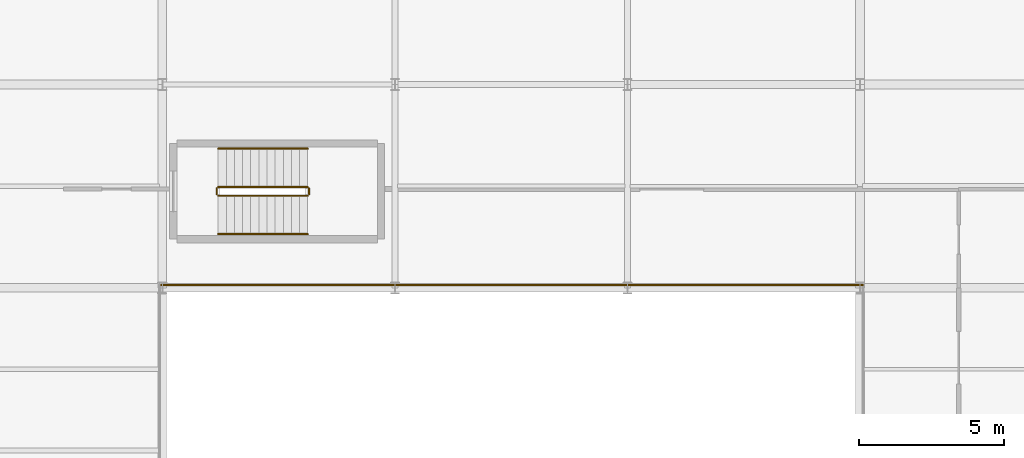
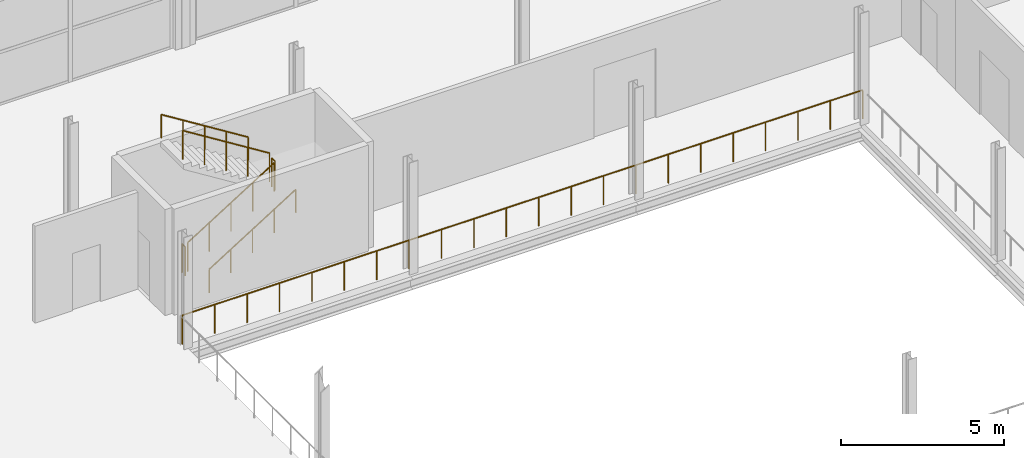
# One storey, part 96 of 101: 7 railings.
"""IFC4 building model written with IfcOpenShell, lengths in metres."""

import ifcopenshell
import ifcopenshell.guid

model = None  # the IFC model being written
_history = None  # IfcOwnerHistory: only IFC2X3 demands one
_inside = {}  # id of a spatial element -> (the spatial element, [elements in it])
_under = {}  # id of a project, library or spatial element -> (it, [spatial elements below it])
_declared = {}  # id of a project -> (the project, [libraries it declares])
_typed = {}  # id of a type object -> (the type object, [elements of that type])
_made_of = {}  # id of a material, layer set ... -> (it, [elements and type objects made of it])


def new_model(schema):
    """Start an empty IFC model of exactly this schema.

    Asked for "IFC4X3", IfcOpenShell would pick the latest addendum, in which some entities
    have other attributes; the version numbers below select the first issue.
    IFC2X3 requires an IfcOwnerHistory on every rooted entity: one is made here for all.
    """
    global model, _history
    if schema == "IFC4X3":
        model = ifcopenshell.file(schema_version=(4, 3, 0, 0))
    else:
        model = ifcopenshell.file(schema=schema)
    _inside.clear()
    _under.clear()
    _declared.clear()
    _typed.clear()
    _made_of.clear()
    _history = None
    if model.schema == "IFC2X3":
        org = make("IfcOrganization", Name="unknown")
        user = make(
            "IfcPersonAndOrganization",
            ThePerson=make("IfcPerson", FamilyName="unknown"),
            TheOrganization=org,
        )
        app = make(
            "IfcApplication",
            ApplicationDeveloper=org,
            Version="unknown",
            ApplicationFullName="unknown",
            ApplicationIdentifier="unknown",
        )
        _history = make(
            "IfcOwnerHistory",
            OwningUser=user,
            OwningApplication=app,
            ChangeAction="ADDED",
            CreationDate=0,
        )
    return model


def make(cls, **values):
    """One entity of the class cls with the attributes given. An attribute that is None is left unset."""
    return model.create_entity(
        cls, **{name: value for name, value in values.items() if value is not None}
    )


def rooted(cls, **values):
    """An entity with a GlobalId (a new one), such as an element, a storey or a relation."""
    return make(cls, GlobalId=ifcopenshell.guid.new(), OwnerHistory=_history, **values)


def si_unit(unit_type, name, prefix=None):
    """IfcSIUnit, for example si_unit("LENGTHUNIT", "METRE", prefix="MILLI")."""
    return make("IfcSIUnit", UnitType=unit_type, Prefix=prefix, Name=name)


def assignment(units):
    """IfcUnitAssignment: the units of a project."""
    return None if units is None else make("IfcUnitAssignment", Units=units)


def point(xyz):
    """IfcCartesianPoint."""
    return None if xyz is None else make("IfcCartesianPoint", Coordinates=xyz)


def direction(xyz):
    """IfcDirection."""
    return None if xyz is None else make("IfcDirection", DirectionRatios=xyz)


def frame(location, z_axis=None, x_axis=None):
    """IfcAxis2Placement3D, a coordinate frame: its origin and axes. An axis left out is left unset."""
    return make(
        "IfcAxis2Placement3D",
        Location=point(location),
        Axis=direction(z_axis),
        RefDirection=direction(x_axis),
    )


def frame_2d(location, x_axis=None):
    """IfcAxis2Placement2D, a coordinate frame in the plane: its origin and x axis."""
    return make(
        "IfcAxis2Placement2D", Location=point(location), RefDirection=direction(x_axis)
    )


def origin():
    """The frame at (0, 0, 0) with its axes left unset."""
    return frame((0.0, 0.0, 0.0))


def origin_2d():
    """The frame at (0, 0) in the plane with its x axis left unset."""
    return frame_2d((0.0, 0.0))


def place(relative_to, where):
    """IfcLocalPlacement: puts the frame where relative to a parent placement (None: the world)."""
    return make(
        "IfcLocalPlacement", PlacementRelTo=relative_to, RelativePlacement=where
    )


def context(
    kind, dimensions, precision=None, world=None, true_north=None, identifier=None
):
    """IfcGeometricRepresentationContext, for example the 3D "Model" context."""
    return make(
        "IfcGeometricRepresentationContext",
        ContextIdentifier=identifier,
        ContextType=kind,
        CoordinateSpaceDimension=dimensions,
        Precision=precision,
        WorldCoordinateSystem=world,
        TrueNorth=true_north,
    )


def subcontext(parent, identifier, kind, view, scale=None):
    """IfcGeometricRepresentationSubContext, for example "Body" below "Model"."""
    return make(
        "IfcGeometricRepresentationSubContext",
        ContextIdentifier=identifier,
        ContextType=kind,
        ParentContext=parent,
        TargetScale=scale,
        TargetView=view,
    )


def project(units=None, contexts=None):
    """IfcProject with its units and contexts."""
    return rooted(
        "IfcProject",
        Name="project",
        RepresentationContexts=contexts,
        UnitsInContext=assignment(units),
    )


def spatial(cls, under=None, at=None, **own):
    """A site, building, storey or space (cls), placed at a placement, below another one or the project."""
    s = rooted(cls, ObjectPlacement=at, **own)
    if under is not None:
        _under.setdefault(under.id(), (under, []))[1].append(s)
    return s


def profile(cls, at=None, kind="AREA", **sizes):
    """A parametric profile (cls). Its sizes go by their IFC names, for example OverallWidth=200.0."""
    return make(cls, ProfileType=kind, Position=at, **sizes)


def circle(**sizes):
    """IfcCircleProfileDef."""
    return profile("IfcCircleProfileDef", **sizes)


def extrude(swept, where, along, depth):
    """IfcExtrudedAreaSolid: the profile swept, set in the frame where, extruded along a direction by depth."""
    return make(
        "IfcExtrudedAreaSolid",
        SweptArea=swept,
        Position=where,
        ExtrudedDirection=direction(along),
        Depth=depth,
    )


def shape(context_of_items, identifier, shape_type, items):
    """IfcShapeRepresentation: the items that make up one representation, for example the "Body"."""
    return make(
        "IfcShapeRepresentation",
        ContextOfItems=context_of_items,
        RepresentationIdentifier=identifier,
        RepresentationType=shape_type,
        Items=items,
    )


def material(Name=None, Category=None):
    """IfcMaterial."""
    return make("IfcMaterial", Name=Name, Category=Category)


def made_of(thing, what):
    """Note that an element or type object is made of a material, layer set ...; save() writes the relation."""
    if what is not None:
        _made_of.setdefault(what.id(), (what, []))[1].append(thing)
    return thing


def type_object(cls, material=None, **own):
    """A type object (cls), such as IfcWallType, which elements share."""
    return made_of(rooted(cls, **own), material)


def element(
    cls,
    number,
    at=None,
    inside=None,
    cuts=None,
    type_object=None,
    material=None,
    context=None,
    identifier="Body",
    shape_type=None,
    held_by="IfcProductDefinitionShape",
    body=None,
    shapes=None,
    **own,
):
    """One element of the class cls, such as IfcWall. Its Tag is "e" and its number.

    at: its placement. inside: the storey or other place that contains it. cuts: it is an
    opening in that element (IfcRelVoidsElement). A single representation is given by context,
    identifier, shape_type and body (its items); several are given by shapes. held_by: the class
    of the entity that holds the representations. save() writes the other relations.
    """
    e = rooted(cls, Tag="e%d" % number, ObjectPlacement=at, **own)
    if body is not None:
        shapes = [shape(context, identifier, shape_type, body)]
    if shapes is not None:
        e.Representation = make(held_by, Representations=shapes)
    if inside is not None:
        _inside.setdefault(inside.id(), (inside, []))[1].append(e)
    if cuts is not None:
        rooted(
            "IfcRelVoidsElement", RelatingBuildingElement=cuts, RelatedOpeningElement=e
        )
    if type_object is not None:
        _typed.setdefault(type_object.id(), (type_object, []))[1].append(e)
    return made_of(e, material)


def aggregate(whole, parts):
    """IfcRelAggregates: a whole, such as a stair, and the parts it consists of."""
    return rooted("IfcRelAggregates", RelatingObject=whole, RelatedObjects=parts)


def save(model, path):
    """Write the relations noted so far, then the file.

    IfcRelAggregates (storeys below a building ...), IfcRelContainedInSpatialStructure (elements
    in a storey), IfcRelDefinesByType, IfcRelAssociatesMaterial and IfcRelDeclares: one each for
    every whole, place, type object, material and project.
    """
    for whole, parts in _under.values():
        aggregate(whole, parts)
    for where, things in _inside.values():
        rooted(
            "IfcRelContainedInSpatialStructure",
            RelatedElements=things,
            RelatingStructure=where,
        )
    for kind, things in _typed.values():
        rooted("IfcRelDefinesByType", RelatedObjects=things, RelatingType=kind)
    for what, things in _made_of.values():
        rooted("IfcRelAssociatesMaterial", RelatedObjects=things, RelatingMaterial=what)
    for by, libraries in _declared.values():
        rooted("IfcRelDeclares", RelatingContext=by, RelatedDefinitions=libraries)
    model.write(path)


model = new_model("IFC4")

# Units and contexts
model_context = context("Model", 3, precision=1e-05, world=origin(), true_north=direction((0.0, 1.0)))
body_context = subcontext(model_context, "Body", "Model", "MODEL_VIEW")
ifc_project = project(units=[si_unit("LENGTHUNIT", "METRE"), si_unit("AREAUNIT", "SQUARE_METRE"), si_unit("VOLUMEUNIT", "CUBIC_METRE"), si_unit("PLANEANGLEUNIT", "RADIAN"), si_unit("MASSUNIT", "GRAM", prefix="KILO")], contexts=[model_context])

# Site, building, storey
site_placement = place(None, origin())
site = spatial("IfcSite", under=ifc_project, at=site_placement, CompositionType="ELEMENT")
building_placement = place(site_placement, origin())
building = spatial("IfcBuilding", under=site, at=building_placement, Name="Vekula Escarpment Museum", CompositionType="ELEMENT")
storey_placement = place(building_placement, frame((0.0, 0.0, 18.0)))
storey = spatial("IfcBuildingStorey", under=building, at=storey_placement, Name="L04", CompositionType="ELEMENT", Elevation=18.0)

# Railings
ifc_material_1 = material(Name="Bronze-coated Steel S355 balustrade", Category="steel")
railing_type_1 = type_object("IfcRailingType", Name="RL-ATR-BAL", PredefinedType="BALUSTRADE", material=ifc_material_1)
railing_1_placement = place(storey_placement, frame((110.10009765625, 76.5, 0.0)))
element("IfcRailing", 1, at=railing_1_placement, inside=storey, type_object=railing_type_1, Name="Central Atrium Balustrade L04 N", PredefinedType="BALUSTRADE", context=body_context, shape_type="SweptSolid", body=[
    extrude(circle(Radius=0.02392578125, at=origin_2d()), frame((0.0, 0.0, 1.076171875), z_axis=(-1.0, 0.0, 0.0), x_axis=(0.0, -1.0, 0.0)), (0.0, 0.0, 1.0), 24.14013671875),
    extrude(circle(Radius=0.02099609375, at=origin_2d()), origin(), (0.0, 0.0, 1.0), 1.052001953125),
    extrude(circle(Radius=0.02099609375, at=origin_2d()), frame((-1.1494140625, 0.0, 0.0)), (0.0, 0.0, 1.0), 1.052001953125),
    extrude(circle(Radius=0.02099609375, at=origin_2d()), frame((-2.299072265625, 0.0, 0.0)), (0.0, 0.0, 1.0), 1.052001953125),
    extrude(circle(Radius=0.02099609375, at=origin_2d()), frame((-3.448486328125, 0.0, 0.0)), (0.0, 0.0, 1.0), 1.052001953125),
    extrude(circle(Radius=0.02099609375, at=origin_2d()), frame((-4.59814453125, 0.0, 0.0)), (0.0, 0.0, 1.0), 1.052001953125),
    extrude(circle(Radius=0.02099609375, at=origin_2d()), frame((-5.74755859375, 0.0, 0.0)), (0.0, 0.0, 1.0), 1.052001953125),
    extrude(circle(Radius=0.02099609375, at=origin_2d()), frame((-6.897216796875, 0.0, 0.0)), (0.0, 0.0, 1.0), 1.052001953125),
    extrude(circle(Radius=0.02099609375, at=origin_2d()), frame((-8.046630859375, 0.0, 0.0)), (0.0, 0.0, 1.0), 1.052001953125),
    extrude(circle(Radius=0.02099609375, at=origin_2d()), frame((-9.1962890625, 0.0, 0.0)), (0.0, 0.0, 1.0), 1.052001953125),
    extrude(circle(Radius=0.02099609375, at=origin_2d()), frame((-10.345703125, 0.0, 0.0)), (0.0, 0.0, 1.0), 1.052001953125),
    extrude(circle(Radius=0.02099609375, at=origin_2d()), frame((-11.495361328125, 0.0, 0.0)), (0.0, 0.0, 1.0), 1.052001953125),
    extrude(circle(Radius=0.02099609375, at=origin_2d()), frame((-12.644775390625, 0.0, 0.0)), (0.0, 0.0, 1.0), 1.052001953125),
    extrude(circle(Radius=0.02099609375, at=origin_2d()), frame((-13.79443359375, 0.0, 0.0)), (0.0, 0.0, 1.0), 1.052001953125),
    extrude(circle(Radius=0.02099609375, at=origin_2d()), frame((-14.94384765625, 0.0, 0.0)), (0.0, 0.0, 1.0), 1.052001953125),
    extrude(circle(Radius=0.02099609375, at=origin_2d()), frame((-16.093505859375, 0.0, 0.0)), (0.0, 0.0, 1.0), 1.052001953125),
    extrude(circle(Radius=0.02099609375, at=origin_2d()), frame((-17.242919921875, 0.0, 0.0)), (0.0, 0.0, 1.0), 1.052001953125),
    extrude(circle(Radius=0.02099609375, at=origin_2d()), frame((-18.392578125, 0.0, 0.0)), (0.0, 0.0, 1.0), 1.052001953125),
    extrude(circle(Radius=0.02099609375, at=origin_2d()), frame((-19.5419921875, 0.0, 0.0)), (0.0, 0.0, 1.0), 1.052001953125),
    extrude(circle(Radius=0.02099609375, at=origin_2d()), frame((-20.691650390625, 0.0, 0.0)), (0.0, 0.0, 1.0), 1.052001953125),
    extrude(circle(Radius=0.02099609375, at=origin_2d()), frame((-21.841064453125, 0.0, 0.0)), (0.0, 0.0, 1.0), 1.052001953125),
    extrude(circle(Radius=0.02099609375, at=origin_2d()), frame((-22.99072265625, 0.0, 0.0)), (0.0, 0.0, 1.0), 1.052001953125),
    extrude(circle(Radius=0.02099609375, at=origin_2d()), frame((-24.14013671875, 0.0, 0.0)), (0.0, 0.0, 1.0), 1.052001953125),
])
ifc_material_2 = material(Name="Painted Steel S355 stair guard", Category="steel")
railing_type_2 = type_object("IfcRailingType", Name="RL-STAIR-GUARD", PredefinedType="GUARDRAIL", material=ifc_material_2)
railing_2_placement = place(storey_placement, frame((87.919921875, 79.570068359375, 0.175048828125)))
element("IfcRailing", 2, at=railing_2_placement, inside=storey, type_object=railing_type_2, Name="L04 ST-09 stair guard 1", PredefinedType="GUARDRAIL", context=body_context, shape_type="SweptSolid", body=[
    extrude(circle(Radius=0.02392578125, at=origin_2d()), frame((0.0, 0.0, 1.076171875), z_axis=(0.847998304005, 0.0, 0.529998940003), x_axis=(0.0, 1.0, 0.0)), (0.0, 0.0, 1.0), 3.632080078125),
    extrude(circle(Radius=0.02099609375, at=origin_2d()), origin(), (0.0, 0.0, 1.0), 1.052001953125),
    extrude(circle(Radius=0.02099609375, at=origin_2d()), frame((0.77001953125, 0.0, 0.481201171875)), (0.0, 0.0, 1.0), 1.052001953125),
    extrude(circle(Radius=0.02099609375, at=origin_2d()), frame((1.5400390625, 0.0, 0.96240234375)), (0.0, 0.0, 1.0), 1.052001953125),
    extrude(circle(Radius=0.02099609375, at=origin_2d()), frame((2.31005859375, 0.0, 1.44384765625)), (0.0, 0.0, 1.0), 1.052001953125),
    extrude(circle(Radius=0.02099609375, at=origin_2d()), frame((3.080078125, 0.0, 1.925048828125)), (0.0, 0.0, 1.0), 1.052001953125),
])
railing_3_placement = place(storey_placement, frame((91.050048828125, 79.6201171875, 2.10009765625)))
element("IfcRailing", 3, at=railing_3_placement, inside=storey, type_object=railing_type_2, Name="L04 ST-09 stair guard 2", PredefinedType="GUARDRAIL", context=body_context, shape_type="SweptSolid", body=[
    extrude(circle(Radius=0.02392578125, at=origin_2d()), frame((0.0, 0.0, 1.076171875), z_axis=(0.0, 1.0, 0.0), x_axis=(-1.0, 0.0, 0.0)), (0.0, 0.0, 1.0), 0.199951171875),
    extrude(circle(Radius=0.02099609375, at=origin_2d()), origin(), (0.0, 0.0, 1.0), 1.052001953125),
    extrude(circle(Radius=0.02099609375, at=origin_2d()), frame((0.0, 0.199951171875, 0.0)), (0.0, 0.0, 1.0), 1.052001953125),
])
railing_4_placement = place(storey_placement, frame((91.0, 79.8701171875, 2.27490234375)))
element("IfcRailing", 4, at=railing_4_placement, inside=storey, type_object=railing_type_2, Name="L04 ST-09 stair guard 3", PredefinedType="GUARDRAIL", context=body_context, shape_type="SweptSolid", body=[
    extrude(circle(Radius=0.02392578125, at=origin_2d()), frame((0.0, 0.0, 1.076171875), z_axis=(-0.847998304005, 0.0, 0.529998940003), x_axis=(0.0, -1.0, 0.0)), (0.0, 0.0, 1.0), 3.632080078125),
    extrude(circle(Radius=0.02099609375, at=origin_2d()), origin(), (0.0, 0.0, 1.0), 1.052001953125),
    extrude(circle(Radius=0.02099609375, at=origin_2d()), frame((-0.77001953125, 0.0, 0.481201171875)), (0.0, 0.0, 1.0), 1.052001953125),
    extrude(circle(Radius=0.02099609375, at=origin_2d()), frame((-1.5400390625, 0.0, 0.96240234375)), (0.0, 0.0, 1.0), 1.052001953125),
    extrude(circle(Radius=0.02099609375, at=origin_2d()), frame((-2.31005859375, 0.0, 1.44384765625)), (0.0, 0.0, 1.0), 1.052001953125),
    extrude(circle(Radius=0.02099609375, at=origin_2d()), frame((-3.080078125, 0.0, 1.925048828125)), (0.0, 0.0, 1.0), 1.052001953125),
])
railing_5_placement = place(storey_placement, frame((87.8701171875, 79.6201171875, 0.0)))
element("IfcRailing", 5, at=railing_5_placement, inside=storey, type_object=railing_type_2, Name="L04 ST-09 stair guard 4", PredefinedType="GUARDRAIL", context=body_context, shape_type="SweptSolid", body=[
    extrude(circle(Radius=0.02392578125, at=origin_2d()), frame((0.0, 0.0, 1.076171875), z_axis=(0.0, 1.0, 0.0), x_axis=(-1.0, 0.0, 0.0)), (0.0, 0.0, 1.0), 0.199951171875),
    extrude(circle(Radius=0.02099609375, at=origin_2d()), origin(), (0.0, 0.0, 1.0), 1.052001953125),
    extrude(circle(Radius=0.02099609375, at=origin_2d()), frame((0.0, 0.199951171875, 0.0)), (0.0, 0.0, 1.0), 1.052001953125),
])
ifc_material_3 = material(Name="Brushed stainless steel handrail", Category="steel")
railing_type_3 = type_object("IfcRailingType", Name="RL-STAIR-HAND", PredefinedType="HANDRAIL", material=ifc_material_3)
railing_6_placement = place(storey_placement, frame((87.919921875, 78.25, 0.175048828125)))
element("IfcRailing", 6, at=railing_6_placement, inside=storey, type_object=railing_type_3, Name="L04 ST-09 stair handrail 1", PredefinedType="HANDRAIL", context=body_context, shape_type="SweptSolid", body=[
    extrude(circle(Radius=0.02392578125, at=origin_2d()), frame((0.0, 0.0, 0.8759765625), z_axis=(0.847998304005, 0.0, 0.529998940003), x_axis=(0.0, 1.0, 0.0)), (0.0, 0.0, 1.0), 3.632080078125),
    extrude(circle(Radius=0.02099609375, at=origin_2d()), origin(), (0.0, 0.0, 1.0), 0.851806640625),
    extrude(circle(Radius=0.02099609375, at=origin_2d()), frame((0.77001953125, 0.0, 0.481201171875)), (0.0, 0.0, 1.0), 0.851806640625),
    extrude(circle(Radius=0.02099609375, at=origin_2d()), frame((1.5400390625, 0.0, 0.96240234375)), (0.0, 0.0, 1.0), 0.851806640625),
    extrude(circle(Radius=0.02099609375, at=origin_2d()), frame((2.31005859375, 0.0, 1.44384765625)), (0.0, 0.0, 1.0), 0.851806640625),
    extrude(circle(Radius=0.02099609375, at=origin_2d()), frame((3.080078125, 0.0, 1.925048828125)), (0.0, 0.0, 1.0), 0.851806640625),
])
railing_7_placement = place(storey_placement, frame((91.0, 81.18994140625, 2.27490234375)))
element("IfcRailing", 7, at=railing_7_placement, inside=storey, type_object=railing_type_3, Name="L04 ST-09 stair handrail 2", PredefinedType="HANDRAIL", context=body_context, shape_type="SweptSolid", body=[
    extrude(circle(Radius=0.02392578125, at=origin_2d()), frame((0.0, 0.0, 0.8759765625), z_axis=(-0.847998304005, 0.0, 0.529998940003), x_axis=(0.0, -1.0, 0.0)), (0.0, 0.0, 1.0), 3.632080078125),
    extrude(circle(Radius=0.02099609375, at=origin_2d()), origin(), (0.0, 0.0, 1.0), 0.851806640625),
    extrude(circle(Radius=0.02099609375, at=origin_2d()), frame((-0.77001953125, 0.0, 0.481201171875)), (0.0, 0.0, 1.0), 0.851806640625),
    extrude(circle(Radius=0.02099609375, at=origin_2d()), frame((-1.5400390625, 0.0, 0.96240234375)), (0.0, 0.0, 1.0), 0.851806640625),
    extrude(circle(Radius=0.02099609375, at=origin_2d()), frame((-2.31005859375, 0.0, 1.44384765625)), (0.0, 0.0, 1.0), 0.851806640625),
    extrude(circle(Radius=0.02099609375, at=origin_2d()), frame((-3.080078125, 0.0, 1.925048828125)), (0.0, 0.0, 1.0), 0.851806640625),
])

save(model, "model.ifc")
